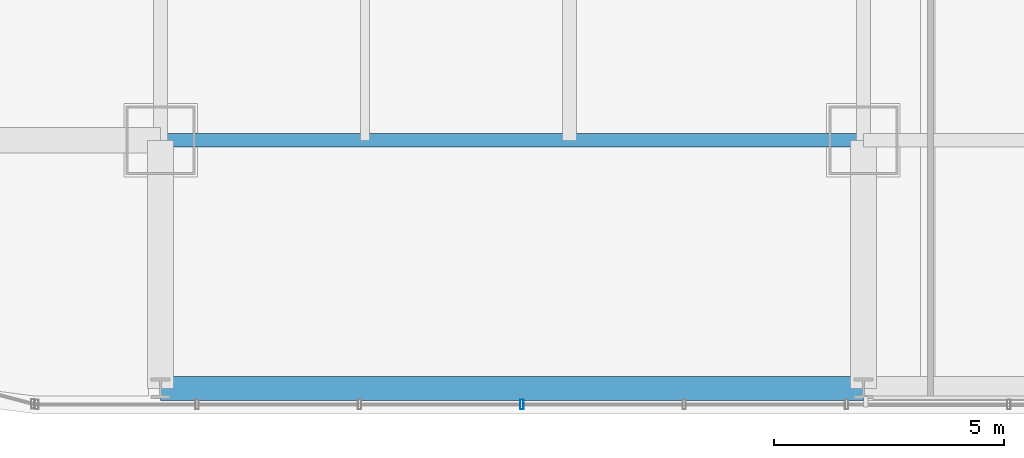
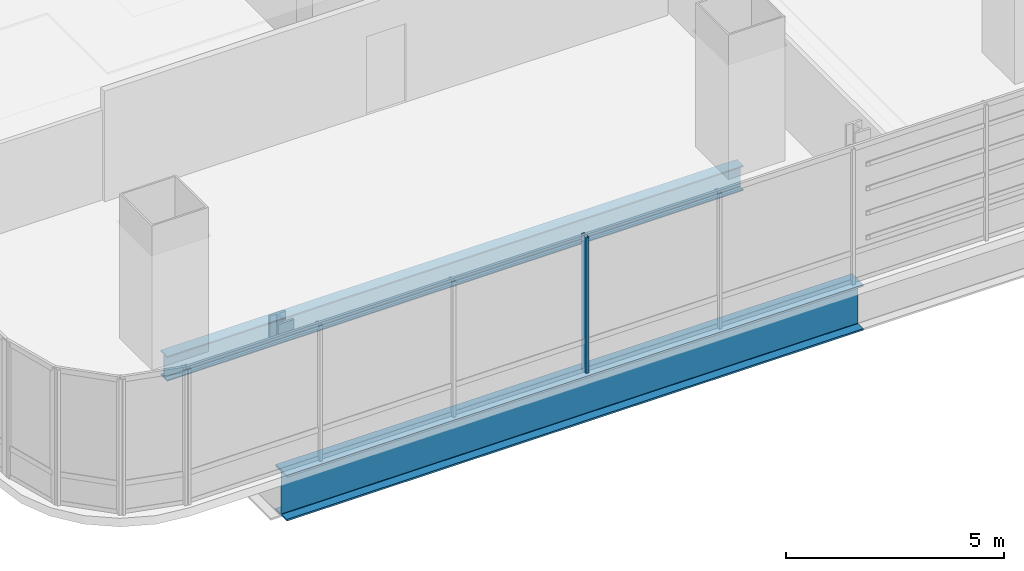
# One storey, part 3 of 36: 2 beams, 1 member, 1 element without a shape of its own.
"""IFC4 building model written with IfcOpenShell, lengths in metres."""

from ifc_helpers import new_model, si_unit, direction, frame, origin, origin_2d, place, context, subcontext, project, spatial, hollow_rectangle, i_section, extrude, material, material_profile, profile_set, type_object, element, aggregate, save


model = new_model("IFC4")

# Units and contexts
model_context = context("Model", 3, precision=1e-05, world=origin(), true_north=direction((0.0, 1.0)))
body_context = subcontext(model_context, "Body", "Model", "MODEL_VIEW")
ifc_project = project(units=[si_unit("LENGTHUNIT", "METRE"), si_unit("AREAUNIT", "SQUARE_METRE"), si_unit("VOLUMEUNIT", "CUBIC_METRE"), si_unit("PLANEANGLEUNIT", "RADIAN"), si_unit("MASSUNIT", "GRAM", prefix="KILO")], contexts=[model_context])

# Site, building, storey
site_placement = place(None, origin())
site = spatial("IfcSite", under=ifc_project, at=site_placement, CompositionType="ELEMENT")
building_placement = place(site_placement, origin())
building = spatial("IfcBuilding", under=site, at=building_placement, Name="Punatoya Terracotta Tower", CompositionType="ELEMENT")
storey_placement = place(building_placement, frame((0.0, 0.0, 36.300048828125)))
storey = spatial("IfcBuildingStorey", under=building, at=storey_placement, Name="L07", CompositionType="ELEMENT", Elevation=36.300048828125)

# Beams
ifc_material_1 = material(Name="Steel S355", Category="steel")
ifc_material_profile_1 = material_profile(ifc_material_1, i_section(OverallWidth=0.300048828125, OverallDepth=0.699951171875, WebThickness=0.01708984375, FlangeThickness=0.031982421875, FilletRadius=0.01806640625, at=origin_2d()))
ifc_profile_set_1 = profile_set([ifc_material_profile_1], Name="Steel S355")
beam_type_1 = type_object("IfcBeamType", Name="BM-PRI-700", PredefinedType="BEAM", material=ifc_profile_set_1)
beam_1_placement = place(storey_placement, frame((-19.10009765625, -17.5, -0.590087890625), z_axis=(1.0, 0.0, 0.0), x_axis=(0.0, 1.0, 0.0)))
element("IfcBeam", 1, at=beam_1_placement, inside=storey, type_object=beam_type_1, Name="BM-L07-RG-S1", PredefinedType="BEAM", context=body_context, shape_type="SweptSolid", body=[
    extrude(i_section(OverallWidth=0.300048828125, OverallDepth=0.699951171875, WebThickness=0.01708984375, FlangeThickness=0.031982421875, FilletRadius=0.01806640625, at=origin_2d()), origin(), (0.0, 0.0, 1.0), 15.300048828125),
])
ifc_material_2 = material(Name="Steel S460", Category="steel")
ifc_material_profile_2 = material_profile(ifc_material_2, i_section(OverallWidth=0.52001953125, OverallDepth=1.280029296875, WebThickness=0.031982421875, FlangeThickness=0.050048828125, FilletRadius=0.01806640625, at=origin_2d()))
ifc_profile_set_2 = profile_set([ifc_material_profile_2], Name="Steel S460")
beam_type_2 = type_object("IfcBeamType", Name="BM-TG-NCK", PredefinedType="BEAM", material=ifc_profile_set_2)
beam_2_placement = place(storey_placement, frame((-19.10009765625, -22.89990234375, -0.880126953125), z_axis=(1.0, 0.0, 0.0), x_axis=(0.0, 1.0, 0.0)))
element("IfcBeam", 2, at=beam_2_placement, inside=storey, type_object=beam_type_2, Name="BM-L07-PER-S1", PredefinedType="BEAM", context=body_context, shape_type="SweptSolid", body=[
    extrude(i_section(OverallWidth=0.52001953125, OverallDepth=1.280029296875, WebThickness=0.031982421875, FlangeThickness=0.050048828125, FilletRadius=0.01806640625, at=origin_2d()), origin(), (0.0, 0.0, 1.0), 15.300048828125),
])

# Curtain wall, member
ifc_material_3 = material(Name="Aluminium 6063-T6 + Double Low-E Glass", Category="aluminium")
curtain_wall_type = type_object("IfcCurtainWallType", Name="CW-M1", PredefinedType="NOTDEFINED", material=ifc_material_3)
curtain_wall_placement = place(storey_placement, origin())
curtain_wall = element("IfcCurtainWall", 3, at=curtain_wall_placement, inside=storey, type_object=curtain_wall_type, Name="L07 Curtain Wall CW-L07-S01-1", PredefinedType="NOTDEFINED")
ifc_material_4 = material(Name="Aluminium 6063-T6", Category="aluminium")
ifc_material_profile_3 = material_profile(ifc_material_4, hollow_rectangle(XDim=0.074951171875, YDim=0.2099609375, WallThickness=0.00439453125, at=origin_2d()))
ifc_profile_set_3 = profile_set([ifc_material_profile_3], Name="Aluminium 6063-T6")
member_type = type_object("IfcMemberType", Name="CW-MUL-M1", PredefinedType="MULLION", material=ifc_profile_set_3)
member_placement = place(storey_placement, frame((-11.235107421875, -23.25, 0.0), z_axis=(0.0, 0.0, 1.0), x_axis=(1.0, 0.0, 0.0)))
member = element("IfcMember", 4, at=member_placement, type_object=member_type, Name="CW-L07-S01-1 Mullion 03", PredefinedType="MULLION", context=body_context, shape_type="SweptSolid", body=[
    extrude(hollow_rectangle(XDim=0.074951171875, YDim=0.2099609375, WallThickness=0.00439453125, at=origin_2d()), origin(), (0.0, 0.0, 1.0), 3.81005859375),
])
aggregate(curtain_wall, [member])

save(model, "model.ifc")
